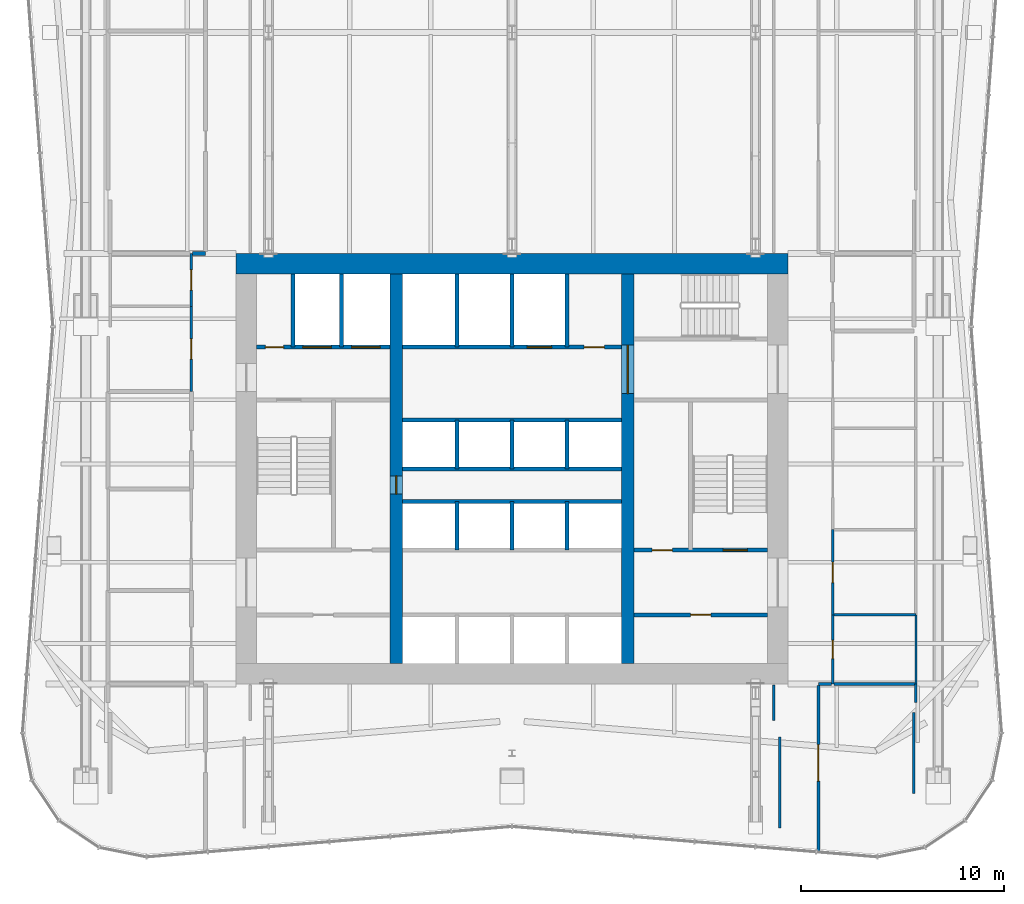
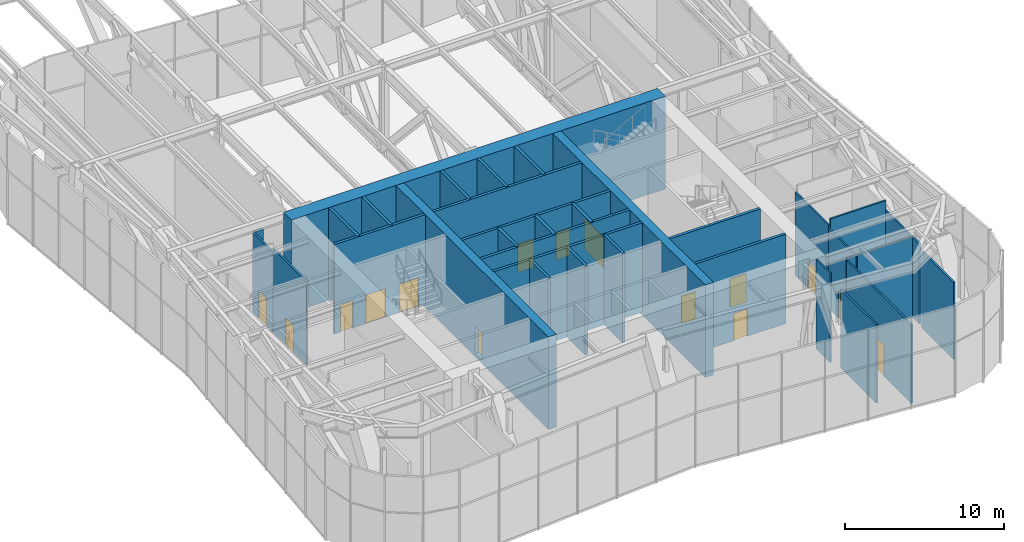
# One storey, part 11 of 16: 35 walls, 15 doors, 15 openings.
"""IFC4 building model written with IfcOpenShell, lengths in metres."""

from ifc_helpers import new_model, si_unit, direction, frame, frame_2d, origin, place, context, subcontext, project, spatial, rectangle, extrude, material, layer, layer_set, type_object, element, fill, save


model = new_model("IFC4")

# Units and contexts
model_context = context("Model", 3, precision=1e-05, world=origin(), true_north=direction((0.0, 1.0)))
body_context = subcontext(model_context, "Body", "Model", "MODEL_VIEW")
ifc_project = project(units=[si_unit("LENGTHUNIT", "METRE"), si_unit("AREAUNIT", "SQUARE_METRE"), si_unit("VOLUMEUNIT", "CUBIC_METRE"), si_unit("PLANEANGLEUNIT", "RADIAN"), si_unit("MASSUNIT", "GRAM", prefix="KILO")], contexts=[model_context])

# Site, building, storey
site_placement = place(None, origin())
site = spatial("IfcSite", under=ifc_project, at=site_placement, CompositionType="ELEMENT")
building_placement = place(site_placement, origin())
building = spatial("IfcBuilding", under=site, at=building_placement, Name="Verdant Reach Tower", CompositionType="ELEMENT")
storey_placement = place(building_placement, frame((0.0, 0.0, 170.0)))
storey = spatial("IfcBuildingStorey", under=building, at=storey_placement, Name="L39 Plant", CompositionType="ELEMENT", Elevation=170.0)

# Wall, opening, door
ifc_material_1 = material(Name="Gypsum board on steel studs", Category="steel")
ifc_layer_1 = layer(ifc_material_1, 0.199951171875)
ifc_layer_set_1 = layer_set([ifc_layer_1], Name="CO-WALL-ROOM")
wall_type_1 = type_object("IfcWallType", Name="CO-WALL-ROOM", PredefinedType="PARTITIONING", material=ifc_layer_set_1)
wall_1_placement = place(storey_placement, frame((6.0, 20.800048828125, 0.0), z_axis=(0.0, 0.0, 1.0), x_axis=(1.0, 0.0, 0.0)))
wall_1 = element("IfcWall", 1, at=wall_1_placement, inside=storey, type_object=wall_type_1, Name="Core partition, L39 Plant", PredefinedType="PARTITIONING", context=body_context, shape_type="SweptSolid", body=[
    extrude(rectangle(XDim=6.60009765625, YDim=0.199951171875, at=frame_2d((3.300048828125, 0.0))), origin(), (0.0, 0.0, 1.0), 6.8701171875),
])
opening_1_placement = place(wall_1_placement, frame((2.800048828125, 0.0, 0.0)))
opening_1 = element("IfcOpeningElement", 2, at=opening_1_placement, cuts=wall_1, Name="Opening CD", PredefinedType="OPENING", context=body_context, shape_type="SweptSolid", body=[
    extrude(rectangle(XDim=1.0, YDim=2.10009765625, at=frame_2d((0.5, 1.050048828125))), frame((0.0, 0.10986328125, 0.0), z_axis=(0.0, -1.0, 0.0), x_axis=(1.0, 0.0, 0.0)), (0.0, 0.0, 1.0), 0.219970703125),
])
ifc_material_2 = material(Name="Timber", Category="wood")
door_type_1 = type_object("IfcDoorType", Name="CO-DOOR-ROOM", OperationType="NOTDEFINED", PredefinedType="DOOR", material=ifc_material_2)
door_1_placement = place(opening_1_placement, origin())
door_1 = element("IfcDoor", 3, at=door_1_placement, inside=storey, type_object=door_type_1, Name="Core room door, L39 Plant", OperationType="SINGLE_SWING_RIGHT", OverallHeight=2.10009765625, OverallWidth=1.0, PredefinedType="DOOR", context=body_context, shape_type="SweptSolid", body=[
    extrude(rectangle(XDim=1.0, YDim=2.10009765625, at=frame_2d((0.5, 1.050048828125))), frame((0.0, 0.02490234375, 0.0), z_axis=(0.0, -1.0, 0.0), x_axis=(1.0, 0.0, 0.0)), (0.0, 0.0, 1.0), 0.050048828125),
])
fill(opening_1, door_1)

# Walls
ifc_material_3 = material(Name="Concrete C40/50", Category="concrete")
ifc_layer_2 = layer(ifc_material_3, 0.199951171875)
ifc_layer_set_2 = layer_set([ifc_layer_2], Name="CO-WALL-SHAFT")
wall_type_2 = type_object("IfcWallType", Name="CO-WALL-SHAFT", PredefinedType="PARTITIONING", material=ifc_layer_set_2)
for number, where, z_axis, x_axis, name in (
    (4, (-5.39990234375, 26.39990234375, 0.0), (0.0, 0.0, 1.0), (1.0, 0.0, 0.0), "Lift shaft wall, L39 Plant"),
    (5, (-5.39990234375, 28.0, 0.0), (0.0, 0.0, 1.0), (1.0, 0.0, 0.0), "Lift shaft wall, L39 Plant"),
    (6, (-5.39990234375, 30.39990234375, 0.0), (0.0, 0.0, 1.0), (1.0, 0.0, 0.0), "Lift shaft wall, L39 Plant"),
):
    element("IfcWall", number, at=place(storey_placement, frame(where, z_axis=z_axis, x_axis=x_axis)), inside=storey, type_object=wall_type_2, Name=name, PredefinedType="PARTITIONING", context=body_context, shape_type="SweptSolid", body=[
        extrude(rectangle(XDim=10.7998046875, YDim=0.199951171875, at=frame_2d((5.39990234375, 0.0))), origin(), (0.0, 0.0, 1.0), 6.8701171875),
    ])

# Wall, openings, doors
wall_2_placement = place(storey_placement, frame((-12.60009765625, 34.0, 0.0), z_axis=(0.0, 0.0, 1.0), x_axis=(1.0, 0.0, 0.0)))
wall_2 = element("IfcWall", 7, at=wall_2_placement, inside=storey, type_object=wall_type_2, Name="Lift shaft wall, L39 Plant", PredefinedType="PARTITIONING", context=body_context, shape_type="SweptSolid", body=[
    extrude(rectangle(XDim=6.60009765625, YDim=0.199951171875, at=frame_2d((3.300048828125, 0.0))), origin(), (0.0, 0.0, 1.0), 6.8701171875),
])
opening_2_placement = place(wall_2_placement, frame((4.699951171875, 0.0, 0.0)))
opening_2 = element("IfcOpeningElement", 8, at=opening_2_placement, cuts=wall_2, Name="Opening LD-F1", PredefinedType="OPENING", context=body_context, shape_type="SweptSolid", body=[
    extrude(rectangle(XDim=1.39990234375, YDim=2.199951171875, at=frame_2d((0.699951171875, 1.10009765625))), frame((0.0, 0.10986328125, 0.0), z_axis=(0.0, -1.0, 0.0), x_axis=(1.0, 0.0, 0.0)), (0.0, 0.0, 1.0), 0.219970703125),
])
opening_3_placement = place(wall_2_placement, frame((2.300048828125, 0.0, 0.0)))
opening_3 = element("IfcOpeningElement", 9, at=opening_3_placement, cuts=wall_2, Name="Opening LD-F2", PredefinedType="OPENING", context=body_context, shape_type="SweptSolid", body=[
    extrude(rectangle(XDim=1.39990234375, YDim=2.199951171875, at=frame_2d((0.699951171875, 1.10009765625))), frame((0.0, 0.10986328125, 0.0), z_axis=(0.0, -1.0, 0.0), x_axis=(1.0, 0.0, 0.0)), (0.0, 0.0, 1.0), 0.219970703125),
])
opening_4_placement = place(wall_2_placement, frame((0.449951171875, 0.0, 0.0)))
opening_4 = element("IfcOpeningElement", 10, at=opening_4_placement, cuts=wall_2, Name="Opening RD", PredefinedType="OPENING", context=body_context, shape_type="SweptSolid", body=[
    extrude(rectangle(XDim=0.89990234375, YDim=2.10009765625, at=frame_2d((0.449951171875, 1.050048828125))), frame((0.0, 0.10986328125, 0.0), z_axis=(0.0, -1.0, 0.0), x_axis=(1.0, 0.0, 0.0)), (0.0, 0.0, 1.0), 0.219970703125),
])
ifc_material_4 = material(Name="Stainless steel", Category="steel")
door_type_2 = type_object("IfcDoorType", Name="CO-DOOR-LANDING-FF", OperationType="SLIDING_TO_LEFT", PredefinedType="DOOR", material=ifc_material_4)
door_2_placement = place(opening_2_placement, origin())
door_2 = element("IfcDoor", 11, at=door_2_placement, inside=storey, type_object=door_type_2, Name="Landing door F1, L39 Plant", OperationType="SLIDING_TO_LEFT", OverallHeight=2.199951171875, OverallWidth=1.39990234375, PredefinedType="DOOR", context=body_context, shape_type="SweptSolid", body=[
    extrude(rectangle(XDim=1.39990234375, YDim=2.199951171875, at=frame_2d((0.699951171875, 1.10009765625))), frame((0.0, 0.02490234375, 0.0), z_axis=(0.0, -1.0, 0.0), x_axis=(1.0, 0.0, 0.0)), (0.0, 0.0, 1.0), 0.050048828125),
])
fill(opening_2, door_2)
door_3_placement = place(opening_3_placement, origin())
door_3 = element("IfcDoor", 12, at=door_3_placement, inside=storey, type_object=door_type_2, Name="Landing door F2, L39 Plant", OperationType="SLIDING_TO_LEFT", OverallHeight=2.199951171875, OverallWidth=1.39990234375, PredefinedType="DOOR", context=body_context, shape_type="SweptSolid", body=[
    extrude(rectangle(XDim=1.39990234375, YDim=2.199951171875, at=frame_2d((0.699951171875, 1.10009765625))), frame((0.0, 0.02490234375, 0.0), z_axis=(0.0, -1.0, 0.0), x_axis=(1.0, 0.0, 0.0)), (0.0, 0.0, 1.0), 0.050048828125),
])
fill(opening_3, door_3)
ifc_material_5 = material(Name="Steel", Category="steel")
door_type_3 = type_object("IfcDoorType", Name="CO-DOOR-RISER", OperationType="NOTDEFINED", PredefinedType="DOOR", material=ifc_material_5)
door_4_placement = place(opening_4_placement, origin())
door_4 = element("IfcDoor", 13, at=door_4_placement, inside=storey, type_object=door_type_3, Name="Core room door, L39 Plant", OperationType="SINGLE_SWING_RIGHT", OverallHeight=2.10009765625, OverallWidth=0.89990234375, PredefinedType="DOOR", context=body_context, shape_type="SweptSolid", body=[
    extrude(rectangle(XDim=0.89990234375, YDim=2.10009765625, at=frame_2d((0.449951171875, 1.050048828125))), frame((0.0, 0.02490234375, 0.0), z_axis=(0.0, -1.0, 0.0), x_axis=(1.0, 0.0, 0.0)), (0.0, 0.0, 1.0), 0.050048828125),
])
fill(opening_4, door_4)

wall_3_placement = place(storey_placement, frame((-5.39990234375, 34.0, 0.0), z_axis=(0.0, 0.0, 1.0), x_axis=(1.0, 0.0, 0.0)))
wall_3 = element("IfcWall", 14, at=wall_3_placement, inside=storey, type_object=wall_type_2, Name="Lift shaft wall, L39 Plant", PredefinedType="PARTITIONING", context=body_context, shape_type="SweptSolid", body=[
    extrude(rectangle(XDim=10.7998046875, YDim=0.199951171875, at=frame_2d((5.39990234375, 0.0))), origin(), (0.0, 0.0, 1.0), 6.8701171875),
])
opening_5_placement = place(wall_3_placement, frame((6.14990234375, 0.0, 0.0)))
opening_5 = element("IfcOpeningElement", 15, at=opening_5_placement, cuts=wall_3, Name="Opening LD-SL1", PredefinedType="OPENING", context=body_context, shape_type="SweptSolid", body=[
    extrude(rectangle(XDim=1.199951171875, YDim=2.199951171875, at=frame_2d((0.60009765625, 1.10009765625))), frame((0.0, 0.10986328125, 0.0), z_axis=(0.0, -1.0, 0.0), x_axis=(1.0, 0.0, 0.0)), (0.0, 0.0, 1.0), 0.219970703125),
])
opening_6_placement = place(wall_3_placement, frame((8.949951171875, 0.0, 0.0)))
opening_6 = element("IfcOpeningElement", 16, at=opening_6_placement, cuts=wall_3, Name="Opening CD", PredefinedType="OPENING", context=body_context, shape_type="SweptSolid", body=[
    extrude(rectangle(XDim=1.0, YDim=2.10009765625, at=frame_2d((0.5, 1.050048828125))), frame((0.0, 0.10986328125, 0.0), z_axis=(0.0, -1.0, 0.0), x_axis=(1.0, 0.0, 0.0)), (0.0, 0.0, 1.0), 0.219970703125),
])
door_type_4 = type_object("IfcDoorType", Name="CO-DOOR-LANDING", OperationType="SLIDING_TO_LEFT", PredefinedType="DOOR", material=ifc_material_4)
door_5_placement = place(opening_5_placement, origin())
door_5 = element("IfcDoor", 17, at=door_5_placement, inside=storey, type_object=door_type_4, Name="Landing door SL1, L39 Plant", OperationType="SLIDING_TO_LEFT", OverallHeight=2.199951171875, OverallWidth=1.199951171875, PredefinedType="DOOR", context=body_context, shape_type="SweptSolid", body=[
    extrude(rectangle(XDim=1.199951171875, YDim=2.199951171875, at=frame_2d((0.60009765625, 1.10009765625))), frame((0.0, 0.02490234375, 0.0), z_axis=(0.0, -1.0, 0.0), x_axis=(1.0, 0.0, 0.0)), (0.0, 0.0, 1.0), 0.050048828125),
])
fill(opening_5, door_5)
door_6_placement = place(opening_6_placement, origin())
door_6 = element("IfcDoor", 18, at=door_6_placement, inside=storey, type_object=door_type_1, Name="Core room door, L39 Plant", OperationType="SINGLE_SWING_LEFT", OverallHeight=2.10009765625, OverallWidth=1.0, PredefinedType="DOOR", context=body_context, shape_type="SweptSolid", body=[
    extrude(rectangle(XDim=1.0, YDim=2.10009765625, at=frame_2d((0.5, 1.050048828125))), frame((0.0, 0.02490234375, 0.0), z_axis=(0.0, -1.0, 0.0), x_axis=(1.0, 0.0, 0.0)), (0.0, 0.0, 1.0), 0.050048828125),
])
fill(opening_6, door_6)

# Walls
for number, where, z_axis, x_axis, name in (
    (19, (-10.800048828125, 34.0, 0.0), (0.0, 0.0, 1.0), (0.0, 1.0, 0.0), "Lift shaft wall, L39 Plant"),
    (20, (-8.39990234375, 34.0, 0.0), (0.0, 0.0, 1.0), (0.0, 1.0, 0.0), "Lift shaft wall, L39 Plant"),
):
    element("IfcWall", number, at=place(storey_placement, frame(where, z_axis=z_axis, x_axis=x_axis)), inside=storey, type_object=wall_type_2, Name=name, PredefinedType="PARTITIONING", context=body_context, shape_type="SweptSolid", body=[
        extrude(rectangle(XDim=3.60009765625, YDim=0.199951171875, at=frame_2d((1.800048828125, 0.0))), origin(), (0.0, 0.0, 1.0), 6.8701171875),
    ])
for number, where, z_axis, x_axis, name in (
    (21, (-2.699951171875, 24.0, 0.0), (0.0, 0.0, 1.0), (0.0, 1.0, 0.0), "Lift shaft wall, L39 Plant"),
    (22, (-2.699951171875, 28.0, 0.0), (0.0, 0.0, 1.0), (0.0, 1.0, 0.0), "Lift shaft wall, L39 Plant"),
):
    element("IfcWall", number, at=place(storey_placement, frame(where, z_axis=z_axis, x_axis=x_axis)), inside=storey, type_object=wall_type_2, Name=name, PredefinedType="PARTITIONING", context=body_context, shape_type="SweptSolid", body=[
        extrude(rectangle(XDim=2.39990234375, YDim=0.199951171875, at=frame_2d((1.199951171875, 0.0))), origin(), (0.0, 0.0, 1.0), 6.8701171875),
    ])
wall_4_placement = place(storey_placement, frame((-2.699951171875, 34.0, 0.0), z_axis=(0.0, 0.0, 1.0), x_axis=(0.0, 1.0, 0.0)))
element("IfcWall", 23, at=wall_4_placement, inside=storey, type_object=wall_type_2, Name="Lift shaft wall, L39 Plant", PredefinedType="PARTITIONING", context=body_context, shape_type="SweptSolid", body=[
    extrude(rectangle(XDim=3.60009765625, YDim=0.199951171875, at=frame_2d((1.800048828125, 0.0))), origin(), (0.0, 0.0, 1.0), 6.8701171875),
])
for number, where, z_axis, x_axis, name in (
    (24, (0.0, 24.0, 0.0), (0.0, 0.0, 1.0), (0.0, 1.0, 0.0), "Lift shaft wall, L39 Plant"),
    (25, (0.0, 28.0, 0.0), (0.0, 0.0, 1.0), (0.0, 1.0, 0.0), "Lift shaft wall, L39 Plant"),
):
    element("IfcWall", number, at=place(storey_placement, frame(where, z_axis=z_axis, x_axis=x_axis)), inside=storey, type_object=wall_type_2, Name=name, PredefinedType="PARTITIONING", context=body_context, shape_type="SweptSolid", body=[
        extrude(rectangle(XDim=2.39990234375, YDim=0.199951171875, at=frame_2d((1.199951171875, 0.0))), origin(), (0.0, 0.0, 1.0), 6.8701171875),
    ])
wall_5_placement = place(storey_placement, frame((0.0, 34.0, 0.0), z_axis=(0.0, 0.0, 1.0), x_axis=(0.0, 1.0, 0.0)))
element("IfcWall", 26, at=wall_5_placement, inside=storey, type_object=wall_type_2, Name="Lift shaft wall, L39 Plant", PredefinedType="PARTITIONING", context=body_context, shape_type="SweptSolid", body=[
    extrude(rectangle(XDim=3.60009765625, YDim=0.199951171875, at=frame_2d((1.800048828125, 0.0))), origin(), (0.0, 0.0, 1.0), 6.8701171875),
])
for number, where, z_axis, x_axis, name in (
    (27, (2.699951171875, 24.0, 0.0), (0.0, 0.0, 1.0), (0.0, 1.0, 0.0), "Lift shaft wall, L39 Plant"),
    (28, (2.699951171875, 28.0, 0.0), (0.0, 0.0, 1.0), (0.0, 1.0, 0.0), "Lift shaft wall, L39 Plant"),
):
    element("IfcWall", number, at=place(storey_placement, frame(where, z_axis=z_axis, x_axis=x_axis)), inside=storey, type_object=wall_type_2, Name=name, PredefinedType="PARTITIONING", context=body_context, shape_type="SweptSolid", body=[
        extrude(rectangle(XDim=2.39990234375, YDim=0.199951171875, at=frame_2d((1.199951171875, 0.0))), origin(), (0.0, 0.0, 1.0), 6.8701171875),
    ])
wall_6_placement = place(storey_placement, frame((2.699951171875, 34.0, 0.0), z_axis=(0.0, 0.0, 1.0), x_axis=(0.0, 1.0, 0.0)))
element("IfcWall", 29, at=wall_6_placement, inside=storey, type_object=wall_type_2, Name="Lift shaft wall, L39 Plant", PredefinedType="PARTITIONING", context=body_context, shape_type="SweptSolid", body=[
    extrude(rectangle(XDim=3.60009765625, YDim=0.199951171875, at=frame_2d((1.800048828125, 0.0))), origin(), (0.0, 0.0, 1.0), 6.8701171875),
])

# Wall, openings, doors
ifc_layer_3 = layer(ifc_material_3, 0.199951171875)
ifc_layer_set_3 = layer_set([ifc_layer_3], Name="CO-WALL-STAIR")
wall_type_3 = type_object("IfcWallType", Name="CO-WALL-STAIR", PredefinedType="PARTITIONING", material=ifc_layer_set_3)
wall_7_placement = place(storey_placement, frame((6.0, 24.0, 0.0), z_axis=(0.0, 0.0, 1.0), x_axis=(1.0, 0.0, 0.0)))
wall_7 = element("IfcWall", 30, at=wall_7_placement, inside=storey, type_object=wall_type_3, Name="Stair enclosure wall, L39 Plant", PredefinedType="PARTITIONING", context=body_context, shape_type="SweptSolid", body=[
    extrude(rectangle(XDim=6.60009765625, YDim=0.199951171875, at=frame_2d((3.300048828125, 0.0))), origin(), (0.0, 0.0, 1.0), 6.8701171875),
])
opening_7_placement = place(wall_7_placement, frame((0.89990234375, 0.0, 0.0)))
opening_7 = element("IfcOpeningElement", 31, at=opening_7_placement, cuts=wall_7, Name="Opening CD", PredefinedType="OPENING", context=body_context, shape_type="SweptSolid", body=[
    extrude(rectangle(XDim=1.0, YDim=2.10009765625, at=frame_2d((0.5, 1.050048828125))), frame((0.0, 0.10986328125, 0.0), z_axis=(0.0, -1.0, 0.0), x_axis=(1.0, 0.0, 0.0)), (0.0, 0.0, 1.0), 0.219970703125),
])
opening_8_placement = place(wall_7_placement, frame((4.39990234375, 0.0, 0.0)))
opening_8 = element("IfcOpeningElement", 32, at=opening_8_placement, cuts=wall_7, Name="Opening SD", PredefinedType="OPENING", context=body_context, shape_type="SweptSolid", body=[
    extrude(rectangle(XDim=1.199951171875, YDim=2.199951171875, at=frame_2d((0.60009765625, 1.10009765625))), frame((0.0, 0.10986328125, 0.0), z_axis=(0.0, -1.0, 0.0), x_axis=(1.0, 0.0, 0.0)), (0.0, 0.0, 1.0), 0.219970703125),
])
door_7_placement = place(opening_7_placement, origin())
door_7 = element("IfcDoor", 33, at=door_7_placement, inside=storey, type_object=door_type_1, Name="Core room door, L39 Plant", OperationType="SINGLE_SWING_LEFT", OverallHeight=2.10009765625, OverallWidth=1.0, PredefinedType="DOOR", context=body_context, shape_type="SweptSolid", body=[
    extrude(rectangle(XDim=1.0, YDim=2.10009765625, at=frame_2d((0.5, 1.050048828125))), frame((0.0, 0.02490234375, 0.0), z_axis=(0.0, -1.0, 0.0), x_axis=(1.0, 0.0, 0.0)), (0.0, 0.0, 1.0), 0.050048828125),
])
fill(opening_7, door_7)
door_type_5 = type_object("IfcDoorType", Name="CO-DOOR-STAIR", OperationType="NOTDEFINED", PredefinedType="DOOR", material=ifc_material_5)
door_8_placement = place(opening_8_placement, origin())
door_8 = element("IfcDoor", 34, at=door_8_placement, inside=storey, type_object=door_type_5, Name="Stair door, L39 Plant", OperationType="SINGLE_SWING_LEFT", OverallHeight=2.199951171875, OverallWidth=1.199951171875, PredefinedType="DOOR", context=body_context, shape_type="SweptSolid", body=[
    extrude(rectangle(XDim=1.199951171875, YDim=2.199951171875, at=frame_2d((0.60009765625, 1.10009765625))), frame((0.0, 0.02490234375, 0.0), z_axis=(0.0, -1.0, 0.0), x_axis=(1.0, 0.0, 0.0)), (0.0, 0.0, 1.0), 0.050048828125),
])
fill(opening_8, door_8)

# Wall
ifc_material_6 = material(Name="Concrete C70/85", Category="concrete")
ifc_layer_4 = layer(ifc_material_6, 1.0)
ifc_layer_set_4 = layer_set([ifc_layer_4], Name="ST-CORE-WALL-1000")
wall_type_4 = type_object("IfcWallType", Name="ST-CORE-WALL-1000", PredefinedType="SHEAR", material=ifc_layer_set_4)
wall_8_placement = place(storey_placement, frame((-13.60009765625, 38.10009765625, -0.25), z_axis=(0.0, 0.0, 1.0), x_axis=(1.0, 0.0, 0.0)))
element("IfcWall", 35, at=wall_8_placement, inside=storey, type_object=wall_type_4, Name="Core wall N, L39 Plant", PredefinedType="SHEAR", context=body_context, shape_type="SweptSolid", body=[
    extrude(rectangle(XDim=27.2001953125, YDim=1.0, at=frame_2d((13.60009765625, 0.0))), origin(), (0.0, 0.0, 1.0), 7.1201171875),
])

# Wall, opening, door
ifc_layer_5 = layer(ifc_material_6, 0.60009765625)
ifc_layer_set_5 = layer_set([ifc_layer_5], Name="ST-CORE-WALL-600")
wall_type_5 = type_object("IfcWallType", Name="ST-CORE-WALL-600", PredefinedType="SHEAR", material=ifc_layer_set_5)
wall_9_placement = place(storey_placement, frame((-5.699951171875, 18.39990234375, -0.25), z_axis=(0.0, 0.0, 1.0), x_axis=(0.0, 1.0, 0.0)))
wall_9 = element("IfcWall", 36, at=wall_9_placement, inside=storey, type_object=wall_type_5, Name="Core wall XW, L39 Plant", PredefinedType="SHEAR", context=body_context, shape_type="SweptSolid", body=[
    extrude(rectangle(XDim=19.2001953125, YDim=0.60009765625, at=frame_2d((9.60009765625, 0.0))), origin(), (0.0, 0.0, 1.0), 7.1201171875),
])
opening_9_placement = place(wall_9_placement, frame((8.35009765625, 0.0, 0.25)))
opening_9 = element("IfcOpeningElement", 37, at=opening_9_placement, cuts=wall_9, Name="Opening RD", PredefinedType="OPENING", context=body_context, shape_type="SweptSolid", body=[
    extrude(rectangle(XDim=0.89990234375, YDim=2.10009765625, at=frame_2d((0.449951171875, 1.050048828125))), frame((0.0, 0.31005859375, 0.0), z_axis=(0.0, -1.0, 0.0), x_axis=(1.0, 0.0, 0.0)), (0.0, 0.0, 1.0), 0.6201171875),
])
door_9_placement = place(opening_9_placement, origin())
door_9 = element("IfcDoor", 38, at=door_9_placement, inside=storey, type_object=door_type_3, Name="Riser door, L39 Plant", OperationType="SINGLE_SWING_RIGHT", OverallHeight=2.10009765625, OverallWidth=0.89990234375, PredefinedType="DOOR", context=body_context, shape_type="SweptSolid", body=[
    extrude(rectangle(XDim=0.89990234375, YDim=2.10009765625, at=frame_2d((0.449951171875, 1.050048828125))), frame((0.0, 0.02490234375, 0.0), z_axis=(0.0, -1.0, 0.0), x_axis=(1.0, 0.0, 0.0)), (0.0, 0.0, 1.0), 0.050048828125),
])
fill(opening_9, door_9)

wall_10_placement = place(storey_placement, frame((5.699951171875, 18.39990234375, -0.25), z_axis=(0.0, 0.0, 1.0), x_axis=(0.0, 1.0, 0.0)))
wall_10 = element("IfcWall", 39, at=wall_10_placement, inside=storey, type_object=wall_type_5, Name="Core wall XE, L39 Plant", PredefinedType="SHEAR", context=body_context, shape_type="SweptSolid", body=[
    extrude(rectangle(XDim=19.2001953125, YDim=0.60009765625, at=frame_2d((9.60009765625, 0.0))), origin(), (0.0, 0.0, 1.0), 7.1201171875),
])
opening_10_placement = place(wall_10_placement, frame((13.300048828125, 0.0, 0.25)))
opening_10 = element("IfcOpeningElement", 40, at=opening_10_placement, cuts=wall_10, Name="Opening LB", PredefinedType="OPENING", context=body_context, shape_type="SweptSolid", body=[
    extrude(rectangle(XDim=2.39990234375, YDim=2.39990234375, at=frame_2d((1.199951171875, 1.199951171875))), frame((0.0, 0.31005859375, 0.0), z_axis=(0.0, -1.0, 0.0), x_axis=(1.0, 0.0, 0.0)), (0.0, 0.0, 1.0), 0.6201171875),
])
ifc_material_7 = material(Name="Glass and steel", Category="steel")
door_type_6 = type_object("IfcDoorType", Name="CO-DOOR-LOBBY", OperationType="DOUBLE_DOOR_SINGLE_SWING", PredefinedType="DOOR", material=ifc_material_7)
door_10_placement = place(opening_10_placement, origin())
door_10 = element("IfcDoor", 41, at=door_10_placement, inside=storey, type_object=door_type_6, Name="Core entrance door, L39 Plant", OperationType="DOUBLE_DOOR_SINGLE_SWING", OverallHeight=2.39990234375, OverallWidth=2.39990234375, PredefinedType="DOOR", context=body_context, shape_type="SweptSolid", body=[
    extrude(rectangle(XDim=2.39990234375, YDim=2.39990234375, at=frame_2d((1.199951171875, 1.199951171875))), frame((0.0, 0.02490234375, 0.0), z_axis=(0.0, -1.0, 0.0), x_axis=(1.0, 0.0, 0.0)), (0.0, 0.0, 1.0), 0.050048828125),
])
fill(opening_10, door_10)

# Wall
ifc_layer_6 = layer(ifc_material_1, 0.10009765625)
ifc_layer_set_6 = layer_set([ifc_layer_6], Name="SV-W1 Partition 100")
wall_type_6 = type_object("IfcWallType", Name="SV-W1 Partition 100", PredefinedType="PARTITIONING", material=ifc_layer_set_6)
wall_11_placement = place(storey_placement, frame((19.89990234375, 20.798095703125, 0.0), z_axis=(0.0, 0.0, 1.0), x_axis=(0.0, -1.0, 0.0)))
element("IfcWall", 42, at=wall_11_placement, inside=storey, type_object=wall_type_6, Name="Partition L39.38", PredefinedType="PARTITIONING", context=body_context, shape_type="SweptSolid", body=[
    extrude(rectangle(XDim=3.39599609375, YDim=0.10009765625, at=frame_2d((1.697998046875, 0.0))), origin(), (0.0, 0.0, 1.0), 6.139892578125),
])

# Wall, opening, door
ifc_material_8 = material(Name="Gypsum board on steel studs, fire rated", Category="steel")
ifc_layer_7 = layer(ifc_material_8, 0.125)
ifc_layer_set_7 = layer_set([ifc_layer_7], Name="SV-W2 Plant wall 125 EI 60")
wall_type_7 = type_object("IfcWallType", Name="SV-W2 Plant wall 125 EI 60", PredefinedType="PARTITIONING", material=ifc_layer_set_7)
wall_12_placement = place(storey_placement, frame((15.800048828125, 17.39990234375, 0.0), z_axis=(0.0, 0.0, 1.0), x_axis=(0.0, 1.0, 0.0)))
wall_12 = element("IfcWall", 43, at=wall_12_placement, inside=storey, type_object=wall_type_7, Name="Partition L39.01", PredefinedType="PARTITIONING", context=body_context, shape_type="SweptSolid", body=[
    extrude(rectangle(XDim=3.400146484375, YDim=0.125, at=frame_2d((1.7001953125, 0.0))), origin(), (0.0, 0.0, 1.0), 6.139892578125),
])
opening_11_placement = place(wall_12_placement, frame((1.25, 0.0, 0.0)))
opening_11 = element("IfcOpeningElement", 44, at=opening_11_placement, cuts=wall_12, Name="Opening SD1", PredefinedType="OPENING", context=body_context, shape_type="SweptSolid", body=[
    extrude(rectangle(XDim=0.89990234375, YDim=2.10009765625, at=frame_2d((0.449951171875, 1.050048828125))), frame((0.0, 0.072509765625, 0.0), z_axis=(0.0, -1.0, 0.0), x_axis=(1.0, 0.0, 0.0)), (0.0, 0.0, 1.0), 0.14501953125),
])
ifc_material_9 = material(Name="Painted timber door leaf", Category="wood")
door_type_7 = type_object("IfcDoorType", Name="SV-D1 Door 900x2100", OperationType="NOTDEFINED", PredefinedType="DOOR", material=ifc_material_9)
door_11_placement = place(opening_11_placement, origin())
door_11 = element("IfcDoor", 45, at=door_11_placement, inside=storey, type_object=door_type_7, Name="Door L39-001", OperationType="SINGLE_SWING_LEFT", OverallHeight=2.10009765625, OverallWidth=0.89990234375, PredefinedType="DOOR", context=body_context, shape_type="SweptSolid", body=[
    extrude(rectangle(XDim=0.89990234375, YDim=2.10009765625, at=frame_2d((0.449951171875, 1.050048828125))), frame((0.0, 0.02490234375, 0.0), z_axis=(0.0, -1.0, 0.0), x_axis=(1.0, 0.0, 0.0)), (0.0, 0.0, 1.0), 0.050048828125),
])
fill(opening_11, door_11)

wall_13_placement = place(storey_placement, frame((15.800048828125, 20.800048828125, 0.0), z_axis=(0.0, 0.0, 1.0), x_axis=(0.0, 1.0, 0.0)))
wall_13 = element("IfcWall", 46, at=wall_13_placement, inside=storey, type_object=wall_type_7, Name="Partition L39.02", PredefinedType="PARTITIONING", context=body_context, shape_type="SweptSolid", body=[
    extrude(rectangle(XDim=4.199951171875, YDim=0.125, at=frame_2d((2.10009765625, 0.0))), origin(), (0.0, 0.0, 1.0), 6.389892578125),
])
opening_12_placement = place(wall_13_placement, frame((1.60009765625, 0.0, 0.0)))
opening_12 = element("IfcOpeningElement", 47, at=opening_12_placement, cuts=wall_13, Name="Opening SD2", PredefinedType="OPENING", context=body_context, shape_type="SweptSolid", body=[
    extrude(rectangle(XDim=1.0, YDim=2.10009765625, at=frame_2d((0.5, 1.050048828125))), frame((0.0, 0.072509765625, 0.0), z_axis=(0.0, -1.0, 0.0), x_axis=(1.0, 0.0, 0.0)), (0.0, 0.0, 1.0), 0.14501953125),
])
ifc_material_10 = material(Name="Steel door leaf, fire rated", Category="steel")
door_type_8 = type_object("IfcDoorType", Name="SV-D2 Door 1000x2100 FD60", OperationType="NOTDEFINED", PredefinedType="DOOR", material=ifc_material_10)
door_12_placement = place(opening_12_placement, origin())
door_12 = element("IfcDoor", 48, at=door_12_placement, inside=storey, type_object=door_type_8, Name="Door L39-002", OperationType="SINGLE_SWING_RIGHT", OverallHeight=2.10009765625, OverallWidth=1.0, PredefinedType="DOOR", context=body_context, shape_type="SweptSolid", body=[
    extrude(rectangle(XDim=1.0, YDim=2.10009765625, at=frame_2d((0.5, 1.050048828125))), frame((0.0, 0.02490234375, 0.0), z_axis=(0.0, -1.0, 0.0), x_axis=(1.0, 0.0, 0.0)), (0.0, 0.0, 1.0), 0.050048828125),
])
fill(opening_12, door_12)

# Wall
wall_14_placement = place(storey_placement, frame((15.737548828125, 17.39990234375, 0.0), z_axis=(0.0, 0.0, 1.0), x_axis=(-1.0, 0.0, 0.0)))
element("IfcWall", 49, at=wall_14_placement, inside=storey, type_object=wall_type_7, Name="Partition L39.06", PredefinedType="PARTITIONING", context=body_context, shape_type="SweptSolid", body=[
    extrude(rectangle(XDim=0.637451171875, YDim=0.125, at=frame_2d((0.31884765625, 0.0))), origin(), (0.0, 0.0, 1.0), 6.139892578125),
])

# Wall, opening, door
wall_15_placement = place(storey_placement, frame((15.10009765625, 9.16162109375, 0.0), z_axis=(0.0, 0.0, 1.0), x_axis=(0.0, 1.0, 0.0)))
wall_15 = element("IfcWall", 50, at=wall_15_placement, inside=storey, type_object=wall_type_7, Name="Partition L39.07", PredefinedType="PARTITIONING", context=body_context, shape_type="SweptSolid", body=[
    extrude(rectangle(XDim=8.17578125, YDim=0.125, at=frame_2d((4.087890625, 0.0))), origin(), (0.0, 0.0, 1.0), 6.0400390625),
])
opening_13_placement = place(wall_15_placement, frame((3.45361328125, 0.0, 0.0)))
opening_13 = element("IfcOpeningElement", 51, at=opening_13_placement, cuts=wall_15, Name="Opening SD3", PredefinedType="OPENING", context=body_context, shape_type="SweptSolid", body=[
    extrude(rectangle(XDim=1.800048828125, YDim=2.39990234375, at=frame_2d((0.89990234375, 1.199951171875))), frame((0.0, 0.072509765625, 0.0), z_axis=(0.0, -1.0, 0.0), x_axis=(1.0, 0.0, 0.0)), (0.0, 0.0, 1.0), 0.14501953125),
])
ifc_material_11 = material(Name="Steel door leaves, fire rated", Category="steel")
door_type_9 = type_object("IfcDoorType", Name="SV-D3 Equipment door 1800x2400 FD60", OperationType="DOUBLE_DOOR_SINGLE_SWING", PredefinedType="DOOR", material=ifc_material_11)
door_13_placement = place(opening_13_placement, origin())
door_13 = element("IfcDoor", 52, at=door_13_placement, inside=storey, type_object=door_type_9, Name="Door L39-006", OperationType="DOUBLE_DOOR_SINGLE_SWING", OverallHeight=2.39990234375, OverallWidth=1.800048828125, PredefinedType="DOOR", context=body_context, shape_type="SweptSolid", body=[
    extrude(rectangle(XDim=1.800048828125, YDim=2.39990234375, at=frame_2d((0.89990234375, 1.199951171875))), frame((0.0, 0.02490234375, 0.0), z_axis=(0.0, -1.0, 0.0), x_axis=(1.0, 0.0, 0.0)), (0.0, 0.0, 1.0), 0.050048828125),
])
fill(opening_13, door_13)

# Walls
wall_16_placement = place(storey_placement, frame((15.862548828125, 20.800048828125, 0.0), z_axis=(0.0, 0.0, 1.0), x_axis=(1.0, 0.0, 0.0)))
element("IfcWall", 53, at=wall_16_placement, inside=storey, type_object=wall_type_7, Name="Partition L39.11", PredefinedType="PARTITIONING", context=body_context, shape_type="SweptSolid", body=[
    extrude(rectangle(XDim=4.037353515625, YDim=0.125, at=frame_2d((2.0185546875, 0.0))), origin(), (0.0, 0.0, 1.0), 6.8701171875),
])
wall_17_placement = place(storey_placement, frame((19.89990234375, 17.39990234375, 0.0), z_axis=(0.0, 0.0, 1.0), x_axis=(-1.0, 0.0, 0.0)))
element("IfcWall", 54, at=wall_17_placement, inside=storey, type_object=wall_type_7, Name="Partition L39.12", PredefinedType="PARTITIONING", context=body_context, shape_type="SweptSolid", body=[
    extrude(rectangle(XDim=4.037353515625, YDim=0.125, at=frame_2d((2.0185546875, 0.0))), origin(), (0.0, 0.0, 1.0), 6.139892578125),
])

# Wall, opening, door
wall_18_placement = place(storey_placement, frame((-15.800048828125, 36.0, 0.0), z_axis=(0.0, 0.0, 1.0), x_axis=(0.0, -1.0, 0.0)))
wall_18 = element("IfcWall", 55, at=wall_18_placement, inside=storey, type_object=wall_type_7, Name="Partition L39.21", PredefinedType="PARTITIONING", context=body_context, shape_type="SweptSolid", body=[
    extrude(rectangle(XDim=4.199951171875, YDim=0.125, at=frame_2d((2.10009765625, 0.0))), origin(), (0.0, 0.0, 1.0), 6.43994140625),
])
opening_14_placement = place(wall_18_placement, frame((1.60009765625, 0.0, 0.0)))
opening_14 = element("IfcOpeningElement", 56, at=opening_14_placement, cuts=wall_18, Name="Opening SD2", PredefinedType="OPENING", context=body_context, shape_type="SweptSolid", body=[
    extrude(rectangle(XDim=1.0, YDim=2.10009765625, at=frame_2d((0.5, 1.050048828125))), frame((0.0, 0.072509765625, 0.0), z_axis=(0.0, -1.0, 0.0), x_axis=(1.0, 0.0, 0.0)), (0.0, 0.0, 1.0), 0.14501953125),
])
door_14_placement = place(opening_14_placement, origin())
door_14 = element("IfcDoor", 57, at=door_14_placement, inside=storey, type_object=door_type_8, Name="Door L39-012", OperationType="SINGLE_SWING_RIGHT", OverallHeight=2.10009765625, OverallWidth=1.0, PredefinedType="DOOR", context=body_context, shape_type="SweptSolid", body=[
    extrude(rectangle(XDim=1.0, YDim=2.10009765625, at=frame_2d((0.5, 1.050048828125))), frame((0.0, 0.02490234375, 0.0), z_axis=(0.0, -1.0, 0.0), x_axis=(1.0, 0.0, 0.0)), (0.0, 0.0, 1.0), 0.050048828125),
])
fill(opening_14, door_14)

wall_19_placement = place(storey_placement, frame((-15.800048828125, 38.60009765625, 0.0), z_axis=(0.0, 0.0, 1.0), x_axis=(0.0, -1.0, 0.0)))
wall_19 = element("IfcWall", 58, at=wall_19_placement, inside=storey, type_object=wall_type_7, Name="Partition L39.22", PredefinedType="PARTITIONING", context=body_context, shape_type="SweptSolid", body=[
    extrude(rectangle(XDim=2.60009765625, YDim=0.125, at=frame_2d((1.300048828125, 0.0))), origin(), (0.0, 0.0, 1.0), 6.139892578125),
])
opening_15_placement = place(wall_19_placement, frame((0.800048828125, 0.0, 0.0)))
opening_15 = element("IfcOpeningElement", 59, at=opening_15_placement, cuts=wall_19, Name="Opening SD2", PredefinedType="OPENING", context=body_context, shape_type="SweptSolid", body=[
    extrude(rectangle(XDim=1.0, YDim=2.10009765625, at=frame_2d((0.5, 1.050048828125))), frame((0.0, 0.072509765625, 0.0), z_axis=(0.0, -1.0, 0.0), x_axis=(1.0, 0.0, 0.0)), (0.0, 0.0, 1.0), 0.14501953125),
])
door_15_placement = place(opening_15_placement, origin())
door_15 = element("IfcDoor", 60, at=door_15_placement, inside=storey, type_object=door_type_8, Name="Door L39-013", OperationType="SINGLE_SWING_LEFT", OverallHeight=2.10009765625, OverallWidth=1.0, PredefinedType="DOOR", context=body_context, shape_type="SweptSolid", body=[
    extrude(rectangle(XDim=1.0, YDim=2.10009765625, at=frame_2d((0.5, 1.050048828125))), frame((0.0, 0.02490234375, 0.0), z_axis=(0.0, -1.0, 0.0), x_axis=(1.0, 0.0, 0.0)), (0.0, 0.0, 1.0), 0.050048828125),
])
fill(opening_15, door_15)

# Walls
wall_20_placement = place(storey_placement, frame((13.199951171875, 10.300048828125, 0.0), z_axis=(0.0, 0.0, 1.0), x_axis=(0.0, 1.0, 0.0)))
element("IfcWall", 61, at=wall_20_placement, inside=storey, type_object=wall_type_7, Name="Partition L39.35", PredefinedType="PARTITIONING", context=body_context, shape_type="SweptSolid", body=[
    extrude(rectangle(XDim=4.5, YDim=0.125, at=frame_2d((2.25, 0.0))), origin(), (0.0, 0.0, 1.0), 6.0400390625),
])
wall_21_placement = place(storey_placement, frame((12.89990234375, 15.592041015625, 0.0), z_axis=(0.0, 0.0, 1.0), x_axis=(0.0, 1.0, 0.0)))
element("IfcWall", 62, at=wall_21_placement, inside=storey, type_object=wall_type_7, Name="Partition L39.36", PredefinedType="PARTITIONING", context=body_context, shape_type="SweptSolid", body=[
    extrude(rectangle(XDim=1.758056640625, YDim=0.125, at=frame_2d((0.87890625, 0.0))), origin(), (0.0, 0.0, 1.0), 6.8701171875),
])
wall_22_placement = place(storey_placement, frame((19.89990234375, 17.39794921875, 0.0), z_axis=(0.0, 0.0, 1.0), x_axis=(0.0, -1.0, 0.0)))
element("IfcWall", 63, at=wall_22_placement, inside=storey, type_object=wall_type_7, Name="Partition L39.43", PredefinedType="PARTITIONING", context=body_context, shape_type="SweptSolid", body=[
    extrude(rectangle(XDim=0.919921875, YDim=0.125, at=frame_2d((0.4599609375, 0.0))), origin(), (0.0, 0.0, 1.0), 6.139892578125),
])
wall_23_placement = place(storey_placement, frame((19.800048828125, 16.0, 0.0), z_axis=(0.0, 0.0, 1.0), x_axis=(0.0, -1.0, 0.0)))
element("IfcWall", 64, at=wall_23_placement, inside=storey, type_object=wall_type_7, Name="Partition L39.44", PredefinedType="PARTITIONING", context=body_context, shape_type="SweptSolid", body=[
    extrude(rectangle(XDim=4.0, YDim=0.125, at=frame_2d((2.0, 0.0))), origin(), (0.0, 0.0, 1.0), 5.929931640625),
])
ifc_material_12 = material(Name="Calcium silicate board on steel studs, fire rated", Category="steel")
ifc_layer_8 = layer(ifc_material_12, 0.199951171875)
ifc_layer_set_8 = layer_set([ifc_layer_8], Name="SV-W3 Fire wall 200 EI 120")
wall_type_8 = type_object("IfcWallType", Name="SV-W3 Fire wall 200 EI 120", PredefinedType="PARTITIONING", material=ifc_layer_set_8)
wall_24_placement = place(storey_placement, frame((-15.737548828125, 38.60009765625, 0.0), z_axis=(0.0, 0.0, 1.0), x_axis=(1.0, 0.0, 0.0)))
element("IfcWall", 65, at=wall_24_placement, inside=storey, type_object=wall_type_8, Name="Partition L39.25", PredefinedType="PARTITIONING", context=body_context, shape_type="SweptSolid", body=[
    extrude(rectangle(XDim=0.637451171875, YDim=0.199951171875, at=frame_2d((0.31884765625, 0.0))), origin(), (0.0, 0.0, 1.0), 6.139892578125),
])

save(model, "model.ifc")
